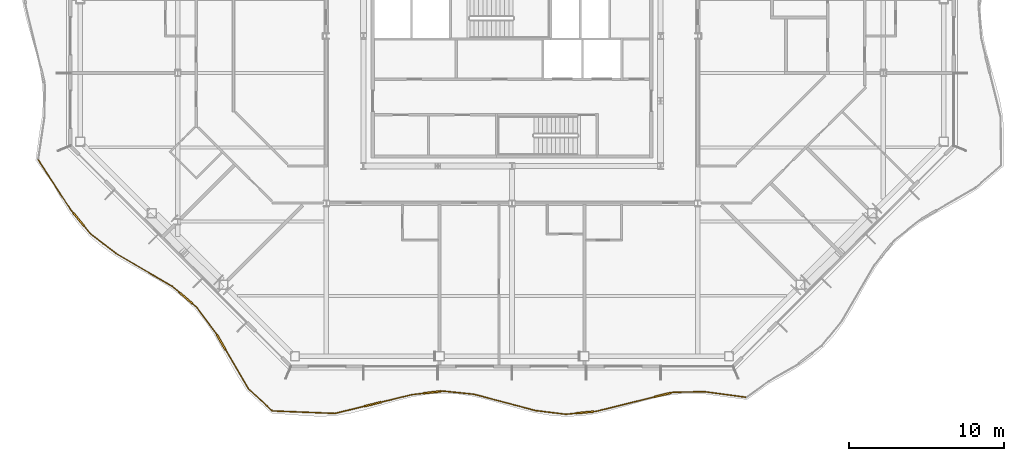
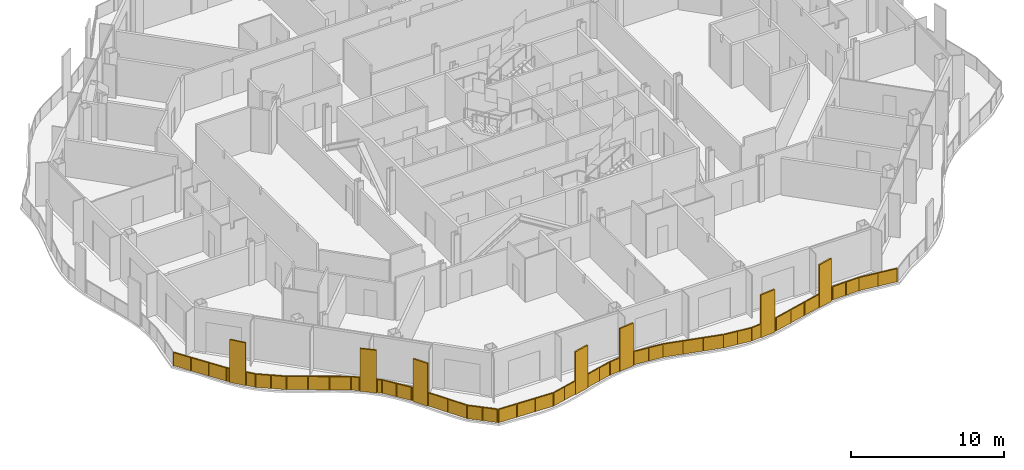
# One storey, part 15 of 20: 2 railings.
"""IFC4 building model written with IfcOpenShell, lengths in metres."""

from ifc_helpers import new_model, si_unit, direction, frame, origin, origin_2d, place, context, subcontext, project, spatial, polyline, rectangle, outline, extrude, material, type_object, element, save


model = new_model("IFC4")

# Units and contexts
model_context = context("Model", 3, precision=1e-05, world=origin(), true_north=direction((0.0, 1.0)))
body_context = subcontext(model_context, "Body", "Model", "MODEL_VIEW")
ifc_project = project(units=[si_unit("LENGTHUNIT", "METRE"), si_unit("AREAUNIT", "SQUARE_METRE"), si_unit("VOLUMEUNIT", "CUBIC_METRE"), si_unit("PLANEANGLEUNIT", "RADIAN"), si_unit("MASSUNIT", "GRAM", prefix="KILO")], contexts=[model_context])

# Site, building, storey
site_placement = place(None, origin())
site = spatial("IfcSite", under=ifc_project, at=site_placement, CompositionType="ELEMENT")
building_placement = place(site_placement, origin())
building = spatial("IfcBuilding", under=site, at=building_placement, Name="Cairn Pilgrim Tower", CompositionType="ELEMENT")
storey_placement = place(building_placement, frame((0.0, 0.0, 165.0)))
storey = spatial("IfcBuildingStorey", under=building, at=storey_placement, Name="L41", CompositionType="ELEMENT", Elevation=165.0)

# Railings
ifc_material = material(Name="Bronze anodised aluminium rail, posts and fin screens with laminated glass infill", Category="aluminium")
railing_type = type_object("IfcRailingType", Name="BALCONY GUARD WITH FIN SCREENS", PredefinedType="GUARDRAIL", material=ifc_material)
railing_1_placement = place(storey_placement, frame((-8.290283203125, -21.832763671875, 0.0)))
element("IfcRailing", 1, at=railing_1_placement, inside=storey, type_object=railing_type, Name="Balcony guard BGF-1 with fin screens", PredefinedType="GUARDRAIL", context=body_context, shape_type="SweptSolid", body=[
    extrude(rectangle(XDim=0.050048828125, YDim=0.050048828125, at=origin_2d()), frame((0.0, 0.0, 1.0751953125), z_axis=(0.999206427871, -0.039831074562, 0.0), x_axis=(0.039831074562, 0.999206427871, 0.0)), (0.0, 0.0, 1.0), 4.0576171875),
    extrude(rectangle(XDim=1.10009765625, YDim=0.110107421875, at=origin_2d()), frame((6.4892578125, 0.43359375, 0.0), z_axis=(0.0, 0.0, 1.0), x_axis=(0.971401950968, 0.237441044589, 0.0)), (0.0, 0.0, 1.0), 3.39990234375),
    extrude(rectangle(XDim=0.050048828125, YDim=0.050048828125, at=origin_2d()), frame((4.054443359375, -0.16162109375, 1.0751953125), z_axis=(0.971401950968, 0.237441044589, 0.0), x_axis=(-0.237441044589, 0.971401950968, 0.0)), (0.0, 0.0, 1.0), 1.95654296875),
    extrude(rectangle(XDim=0.050048828125, YDim=0.050048828125, at=origin_2d()), frame((7.0234375, 0.564208984375, 1.0751953125), z_axis=(0.971401950968, 0.237441044589, 0.0), x_axis=(-0.237441044589, 0.971401950968, 0.0)), (0.0, 0.0, 1.0), 2.04345703125),
    extrude(rectangle(XDim=1.10009765625, YDim=0.110107421875, at=origin_2d()), frame((10.324951171875, 1.20263671875, 0.0), z_axis=(0.0, 0.0, 1.0), x_axis=(0.993295474853, 0.115603199076, 0.0)), (0.0, 0.0, 1.0), 3.39990234375),
    extrude(rectangle(XDim=0.050048828125, YDim=0.050048828125, at=origin_2d()), frame((9.008544921875, 1.04931640625, 1.0751953125), z_axis=(0.993295474853, 0.115603199076, 0.0), x_axis=(-0.115603199076, 0.993295474853, 0.0)), (0.0, 0.0, 1.0), 0.775390625),
    extrude(rectangle(XDim=0.050048828125, YDim=0.050048828125, at=origin_2d()), frame((10.871337890625, 1.26611328125, 1.0751953125), z_axis=(0.993295474853, 0.115603199076, 0.0), x_axis=(-0.115603199076, 0.993295474853, 0.0)), (0.0, 0.0, 1.0), 0.14990234375),
    extrude(rectangle(XDim=0.050048828125, YDim=0.050048828125, at=origin_2d()), frame((11.020263671875, 1.283447265625, 1.0751953125), z_axis=(0.994844327286, -0.101413827788, 0.0), x_axis=(0.101413827788, 0.994844327286, 0.0)), (0.0, 0.0, 1.0), 2.024658203125),
    extrude(rectangle(XDim=0.050048828125, YDim=0.050048828125, at=origin_2d()), frame((13.034423828125, 1.078125, 1.0751953125), z_axis=(0.966537824594, -0.256524138493, 0.0), x_axis=(0.256524138493, 0.966537824594, 0.0)), (0.0, 0.0, 1.0), 4.111572265625),
    extrude(rectangle(XDim=0.050048828125, YDim=0.050048828125, at=origin_2d()), frame((17.00830078125, 0.0234375, 1.0751953125), z_axis=(0.992644427735, -0.121066263206, 0.0), x_axis=(0.121066263206, 0.992644427735, 0.0)), (0.0, 0.0, 1.0), 1.97412109375),
    extrude(rectangle(XDim=1.10009765625, YDim=0.110107421875, at=origin_2d()), frame((20.230224609375, -0.09423828125, 0.0), z_axis=(0.0, 0.0, 1.0), x_axis=(0.995415391014, 0.09564621965, 0.0)), (0.0, 0.0, 1.0), 3.39990234375),
    extrude(rectangle(XDim=0.050048828125, YDim=0.050048828125, at=origin_2d()), frame((18.968017578125, -0.215576171875, 1.0751953125), z_axis=(0.995415391014, 0.09564621965, 0.0), x_axis=(-0.09564621965, 0.995415391014, 0.0)), (0.0, 0.0, 1.0), 0.718017578125),
    extrude(rectangle(XDim=0.050048828125, YDim=0.050048828125, at=origin_2d()), frame((20.77783203125, -0.041748046875, 1.0751953125), z_axis=(0.995415391014, 0.09564621965, 0.0), x_axis=(-0.09564621965, 0.995415391014, 0.0)), (0.0, 0.0, 1.0), 0.14990234375),
    extrude(rectangle(XDim=1.10009765625, YDim=0.110107421875, at=origin_2d()), frame((25.218505859375, 1.035888671875, 0.0), z_axis=(0.0, 0.0, 1.0), x_axis=(0.97065069873, 0.240493702735, 0.0)), (0.0, 0.0, 1.0), 3.39990234375),
    extrude(rectangle(XDim=0.050048828125, YDim=0.050048828125, at=origin_2d()), frame((20.927001953125, -0.02734375, 1.0751953125), z_axis=(0.97065069873, 0.240493702735, 0.0), x_axis=(-0.240493702735, 0.97065069873, 0.0)), (0.0, 0.0, 1.0), 3.871337890625),
    extrude(rectangle(XDim=0.050048828125, YDim=0.050048828125, at=origin_2d()), frame((25.75244140625, 1.168212890625, 1.0751953125), z_axis=(0.97065069873, 0.240493702735, 0.0), x_axis=(-0.240493702735, 0.97065069873, 0.0)), (0.0, 0.0, 1.0), 0.150146484375),
    extrude(rectangle(XDim=0.050048828125, YDim=0.050048828125, at=origin_2d()), frame((25.898193359375, 1.204345703125, 1.0751953125), z_axis=(0.999797678894, 0.02011470303, 0.0), x_axis=(-0.02011470303, 0.999797678894, 0.0)), (0.0, 0.0, 1.0), 2.014892578125),
    extrude(rectangle(XDim=0.050048828125, YDim=0.050048828125, at=origin_2d()), frame((27.91259765625, 1.244873046875, 1.0751953125), z_axis=(0.991180338194, -0.132519950109, 0.0), x_axis=(0.132519950109, 0.991180338194, 0.0)), (0.0, 0.0, 1.0), 2.693359375),
    extrude(rectangle(XDim=0.050048828125, YDim=0.050048828125, at=origin_2d()), origin(), (0.0, 0.0, 1.0), 1.050048828125),
    extrude(rectangle(XDim=0.050048828125, YDim=0.050048828125, at=origin_2d()), frame((1.3515625, -0.053955078125, 0.0)), (0.0, 0.0, 1.0), 1.050048828125),
    extrude(rectangle(XDim=0.050048828125, YDim=0.050048828125, at=origin_2d()), frame((2.702880859375, -0.107666015625, 0.0)), (0.0, 0.0, 1.0), 1.050048828125),
    extrude(rectangle(XDim=0.050048828125, YDim=0.050048828125, at=origin_2d()), frame((4.054443359375, -0.16162109375, 0.0)), (0.0, 0.0, 1.0), 1.050048828125),
    extrude(rectangle(XDim=0.050048828125, YDim=0.050048828125, at=origin_2d()), frame((4.992431640625, 0.067626953125, 0.0)), (0.0, 0.0, 1.0), 1.050048828125),
    extrude(rectangle(XDim=0.050048828125, YDim=0.050048828125, at=origin_2d()), frame((5.9306640625, 0.296875, 0.0)), (0.0, 0.0, 1.0), 1.050048828125),
    extrude(rectangle(XDim=0.050048828125, YDim=0.050048828125, at=origin_2d()), frame((7.0478515625, 0.570068359375, 0.0)), (0.0, 0.0, 1.0), 1.050048828125),
    extrude(rectangle(XDim=0.050048828125, YDim=0.050048828125, at=origin_2d()), frame((8.028076171875, 0.8095703125, 0.0)), (0.0, 0.0, 1.0), 1.050048828125),
    extrude(rectangle(XDim=0.050048828125, YDim=0.050048828125, at=origin_2d()), frame((9.008544921875, 1.04931640625, 0.0)), (0.0, 0.0, 1.0), 1.050048828125),
    extrude(rectangle(XDim=0.050048828125, YDim=0.050048828125, at=origin_2d()), frame((9.75390625, 1.135986328125, 0.0)), (0.0, 0.0, 1.0), 1.050048828125),
    extrude(rectangle(XDim=0.050048828125, YDim=0.050048828125, at=origin_2d()), frame((10.896240234375, 1.26904296875, 0.0)), (0.0, 0.0, 1.0), 1.050048828125),
    extrude(rectangle(XDim=0.050048828125, YDim=0.050048828125, at=origin_2d()), frame((11.020263671875, 1.283447265625, 0.0)), (0.0, 0.0, 1.0), 1.050048828125),
    extrude(rectangle(XDim=0.050048828125, YDim=0.050048828125, at=origin_2d()), frame((12.02734375, 1.1806640625, 0.0)), (0.0, 0.0, 1.0), 1.050048828125),
    extrude(rectangle(XDim=0.050048828125, YDim=0.050048828125, at=origin_2d()), frame((13.034423828125, 1.078125, 0.0)), (0.0, 0.0, 1.0), 1.050048828125),
    extrude(rectangle(XDim=0.050048828125, YDim=0.050048828125, at=origin_2d()), frame((14.359130859375, 0.7265625, 0.0)), (0.0, 0.0, 1.0), 1.050048828125),
    extrude(rectangle(XDim=0.050048828125, YDim=0.050048828125, at=origin_2d()), frame((15.68359375, 0.375, 0.0)), (0.0, 0.0, 1.0), 1.050048828125),
    extrude(rectangle(XDim=0.050048828125, YDim=0.050048828125, at=origin_2d()), frame((17.00830078125, 0.0234375, 0.0)), (0.0, 0.0, 1.0), 1.050048828125),
    extrude(rectangle(XDim=0.050048828125, YDim=0.050048828125, at=origin_2d()), frame((17.98828125, -0.09619140625, 0.0)), (0.0, 0.0, 1.0), 1.050048828125),
    extrude(rectangle(XDim=0.050048828125, YDim=0.050048828125, at=origin_2d()), frame((18.968017578125, -0.215576171875, 0.0)), (0.0, 0.0, 1.0), 1.050048828125),
    extrude(rectangle(XDim=0.050048828125, YDim=0.050048828125, at=origin_2d()), frame((19.657958984375, -0.149169921875, 0.0)), (0.0, 0.0, 1.0), 1.050048828125),
    extrude(rectangle(XDim=0.050048828125, YDim=0.050048828125, at=origin_2d()), frame((20.802734375, -0.039306640625, 0.0)), (0.0, 0.0, 1.0), 1.050048828125),
    extrude(rectangle(XDim=0.050048828125, YDim=0.050048828125, at=origin_2d()), frame((20.927001953125, -0.02734375, 0.0)), (0.0, 0.0, 1.0), 1.050048828125),
    extrude(rectangle(XDim=0.050048828125, YDim=0.050048828125, at=origin_2d()), frame((22.17138671875, 0.281005859375, 0.0)), (0.0, 0.0, 1.0), 1.050048828125),
    extrude(rectangle(XDim=0.050048828125, YDim=0.050048828125, at=origin_2d()), frame((23.416015625, 0.58935546875, 0.0)), (0.0, 0.0, 1.0), 1.050048828125),
    extrude(rectangle(XDim=0.050048828125, YDim=0.050048828125, at=origin_2d()), frame((24.660400390625, 0.897705078125, 0.0)), (0.0, 0.0, 1.0), 1.050048828125),
    extrude(rectangle(XDim=0.050048828125, YDim=0.050048828125, at=origin_2d()), frame((25.77685546875, 1.17431640625, 0.0)), (0.0, 0.0, 1.0), 1.050048828125),
    extrude(rectangle(XDim=0.050048828125, YDim=0.050048828125, at=origin_2d()), frame((25.898193359375, 1.204345703125, 0.0)), (0.0, 0.0, 1.0), 1.050048828125),
    extrude(rectangle(XDim=0.050048828125, YDim=0.050048828125, at=origin_2d()), frame((26.9052734375, 1.224609375, 0.0)), (0.0, 0.0, 1.0), 1.050048828125),
    extrude(rectangle(XDim=0.050048828125, YDim=0.050048828125, at=origin_2d()), frame((27.91259765625, 1.244873046875, 0.0)), (0.0, 0.0, 1.0), 1.050048828125),
    extrude(rectangle(XDim=0.050048828125, YDim=0.050048828125, at=origin_2d()), frame((29.24755859375, 1.06640625, 0.0)), (0.0, 0.0, 1.0), 1.050048828125),
    extrude(rectangle(XDim=0.050048828125, YDim=0.050048828125, at=origin_2d()), frame((30.582275390625, 0.887939453125, 0.0)), (0.0, 0.0, 1.0), 1.050048828125),
    extrude(outline(polyline([(0.02490234375, 0.0), (1.32763671875, 0.0), (1.32763671875, 1.050048828125), (0.02490234375, 1.050048828125), (0.02490234375, 0.0)])), frame((0.000244140625, 0.005859375, 0.0), z_axis=(-0.039831074562, -0.999206427871, 0.0), x_axis=(0.999206427871, -0.039831074562, 0.0)), (0.0, 0.0, 1.0), 0.011962890625),
    extrude(outline(polyline([(0.02490234375, 0.0), (1.32763671875, 0.0), (1.32763671875, 1.050048828125), (0.02490234375, 1.050048828125), (0.02490234375, 0.0)])), frame((1.351806640625, -0.0478515625, 0.0), z_axis=(-0.039831074562, -0.999206427871, 0.0), x_axis=(0.999206427871, -0.039831074562, 0.0)), (0.0, 0.0, 1.0), 0.011962890625),
    extrude(outline(polyline([(0.02490234375, 0.0), (1.32763671875, 0.0), (1.32763671875, 1.050048828125), (0.02490234375, 1.050048828125), (0.02490234375, 0.0)])), frame((2.703125, -0.101806640625, 0.0), z_axis=(-0.039831074562, -0.999206427871, 0.0), x_axis=(0.999206427871, -0.039831074562, 0.0)), (0.0, 0.0, 1.0), 0.011962890625),
    extrude(outline(polyline([(0.02490234375, 0.0), (0.940673828125, 0.0), (0.940673828125, 1.050048828125), (0.02490234375, 1.050048828125), (0.02490234375, 0.0)])), frame((4.052978515625, -0.15576171875, 0.0), z_axis=(0.237441044589, -0.971401950968, 0.0), x_axis=(0.971401950968, 0.237441044589, 0.0)), (0.0, 0.0, 1.0), 0.011962890625),
    extrude(outline(polyline([(0.02490234375, 0.0), (0.940673828125, 0.0), (0.940673828125, 1.050048828125), (0.02490234375, 1.050048828125), (0.02490234375, 0.0)])), frame((4.9912109375, 0.073486328125, 0.0), z_axis=(0.237441044589, -0.971401950968, 0.0), x_axis=(0.971401950968, 0.237441044589, 0.0)), (0.0, 0.0, 1.0), 0.011962890625),
    extrude(outline(polyline([(0.02490234375, 0.0), (0.984130859375, 0.0), (0.984130859375, 1.050048828125), (0.02490234375, 1.050048828125), (0.02490234375, 0.0)])), frame((7.04638671875, 0.575927734375, 0.0), z_axis=(0.237441044589, -0.971401950968, 0.0), x_axis=(0.971401950968, 0.237441044589, 0.0)), (0.0, 0.0, 1.0), 0.011962890625),
    extrude(outline(polyline([(0.02490234375, 0.0), (0.984130859375, 0.0), (0.984130859375, 1.050048828125), (0.02490234375, 1.050048828125), (0.02490234375, 0.0)])), frame((8.02685546875, 0.8154296875, 0.0), z_axis=(0.237441044589, -0.971401950968, 0.0), x_axis=(0.971401950968, 0.237441044589, 0.0)), (0.0, 0.0, 1.0), 0.011962890625),
    extrude(outline(polyline([(0.02490234375, 0.0), (0.725341796875, 0.0), (0.725341796875, 1.050048828125), (0.02490234375, 1.050048828125), (0.02490234375, 0.0)])), frame((9.0078125, 1.05517578125, 0.0), z_axis=(0.115603199076, -0.993295474853, 0.0), x_axis=(0.993295474853, 0.115603199076, 0.0)), (0.0, 0.0, 1.0), 0.011962890625),
    extrude(outline(polyline([(0.02490234375, 0.0), (0.099853515625, 0.0), (0.099853515625, 1.050048828125), (0.02490234375, 1.050048828125), (0.02490234375, 0.0)])), frame((10.8955078125, 1.27490234375, 0.0), z_axis=(0.115603199076, -0.993295474853, 0.0), x_axis=(0.993295474853, 0.115603199076, 0.0)), (0.0, 0.0, 1.0), 0.011962890625),
    extrude(outline(polyline([(0.02490234375, 0.0), (0.9873046875, 0.0), (0.9873046875, 1.050048828125), (0.02490234375, 1.050048828125), (0.02490234375, 0.0)])), frame((11.020751953125, 1.289306640625, 0.0), z_axis=(-0.101413827788, -0.994844327286, 0.0), x_axis=(0.994844327286, -0.101413827788, 0.0)), (0.0, 0.0, 1.0), 0.011962890625),
    extrude(outline(polyline([(0.02490234375, 0.0), (0.9873046875, 0.0), (0.9873046875, 1.050048828125), (0.02490234375, 1.050048828125), (0.02490234375, 0.0)])), frame((12.02783203125, 1.186767578125, 0.0), z_axis=(-0.101413827788, -0.994844327286, 0.0), x_axis=(0.994844327286, -0.101413827788, 0.0)), (0.0, 0.0, 1.0), 0.011962890625),
    extrude(outline(polyline([(0.02490234375, 0.0), (1.345458984375, 0.0), (1.345458984375, 1.050048828125), (0.02490234375, 1.050048828125), (0.02490234375, 0.0)])), frame((13.035888671875, 1.083984375, 0.0), z_axis=(-0.256524138493, -0.966537824594, 0.0), x_axis=(0.966537824594, -0.256524138493, 0.0)), (0.0, 0.0, 1.0), 0.011962890625),
    extrude(outline(polyline([(0.02490234375, 0.0), (1.345458984375, 0.0), (1.345458984375, 1.050048828125), (0.02490234375, 1.050048828125), (0.02490234375, 0.0)])), frame((14.360595703125, 0.732421875, 0.0), z_axis=(-0.256524138493, -0.966537824594, 0.0), x_axis=(0.966537824594, -0.256524138493, 0.0)), (0.0, 0.0, 1.0), 0.011962890625),
    extrude(outline(polyline([(0.02490234375, 0.0), (1.345458984375, 0.0), (1.345458984375, 1.050048828125), (0.02490234375, 1.050048828125), (0.02490234375, 0.0)])), frame((15.685302734375, 0.380859375, 0.0), z_axis=(-0.256524138493, -0.966537824594, 0.0), x_axis=(0.966537824594, -0.256524138493, 0.0)), (0.0, 0.0, 1.0), 0.011962890625),
    extrude(outline(polyline([(0.02490234375, 0.0), (0.962158203125, 0.0), (0.962158203125, 1.050048828125), (0.02490234375, 1.050048828125), (0.02490234375, 0.0)])), frame((17.009033203125, 0.029296875, 0.0), z_axis=(-0.121066263206, -0.992644427735, 0.0), x_axis=(0.992644427735, -0.121066263206, 0.0)), (0.0, 0.0, 1.0), 0.011962890625),
    extrude(outline(polyline([(0.02490234375, 0.0), (0.962158203125, 0.0), (0.962158203125, 1.050048828125), (0.02490234375, 1.050048828125), (0.02490234375, 0.0)])), frame((17.98876953125, -0.090087890625, 0.0), z_axis=(-0.121066263206, -0.992644427735, 0.0), x_axis=(0.992644427735, -0.121066263206, 0.0)), (0.0, 0.0, 1.0), 0.011962890625),
    extrude(outline(polyline([(0.02490234375, 0.0), (0.66796875, 0.0), (0.66796875, 1.050048828125), (0.02490234375, 1.050048828125), (0.02490234375, 0.0)])), frame((18.967529296875, -0.209716796875, 0.0), z_axis=(0.09564621965, -0.995415391014, 0.0), x_axis=(0.995415391014, 0.09564621965, 0.0)), (0.0, 0.0, 1.0), 0.011962890625),
    extrude(outline(polyline([(0.02490234375, 0.0), (0.099853515625, 0.0), (0.099853515625, 1.050048828125), (0.02490234375, 1.050048828125), (0.02490234375, 0.0)])), frame((20.802001953125, -0.033447265625, 0.0), z_axis=(0.09564621965, -0.995415391014, 0.0), x_axis=(0.995415391014, 0.09564621965, 0.0)), (0.0, 0.0, 1.0), 0.011962890625),
    extrude(outline(polyline([(0.02490234375, 0.0), (1.257080078125, 0.0), (1.257080078125, 1.050048828125), (0.02490234375, 1.050048828125), (0.02490234375, 0.0)])), frame((20.925537109375, -0.021484375, 0.0), z_axis=(0.240493702735, -0.97065069873, 0.0), x_axis=(0.97065069873, 0.240493702735, 0.0)), (0.0, 0.0, 1.0), 0.011962890625),
    extrude(outline(polyline([(0.02490234375, 0.0), (1.257080078125, 0.0), (1.257080078125, 1.050048828125), (0.02490234375, 1.050048828125), (0.02490234375, 0.0)])), frame((22.170166015625, 0.286865234375, 0.0), z_axis=(0.240493702735, -0.97065069873, 0.0), x_axis=(0.97065069873, 0.240493702735, 0.0)), (0.0, 0.0, 1.0), 0.011962890625),
    extrude(outline(polyline([(0.02490234375, 0.0), (1.257080078125, 0.0), (1.257080078125, 1.050048828125), (0.02490234375, 1.050048828125), (0.02490234375, 0.0)])), frame((23.41455078125, 0.59521484375, 0.0), z_axis=(0.240493702735, -0.97065069873, 0.0), x_axis=(0.97065069873, 0.240493702735, 0.0)), (0.0, 0.0, 1.0), 0.011962890625),
    extrude(outline(polyline([(0.02490234375, 0.0), (0.10009765625, 0.0), (0.10009765625, 1.050048828125), (0.02490234375, 1.050048828125), (0.02490234375, 0.0)])), frame((25.775390625, 1.18017578125, 0.0), z_axis=(0.240493702735, -0.97065069873, 0.0), x_axis=(0.97065069873, 0.240493702735, 0.0)), (0.0, 0.0, 1.0), 0.011962890625),
    extrude(outline(polyline([(0.02490234375, 0.0), (0.982421875, 0.0), (0.982421875, 1.050048828125), (0.02490234375, 1.050048828125), (0.02490234375, 0.0)])), frame((25.898193359375, 1.210205078125, 0.0), z_axis=(0.02011470303, -0.999797678894, 0.0), x_axis=(0.999797678894, 0.02011470303, 0.0)), (0.0, 0.0, 1.0), 0.011962890625),
    extrude(outline(polyline([(0.02490234375, 0.0), (0.982421875, 0.0), (0.982421875, 1.050048828125), (0.02490234375, 1.050048828125), (0.02490234375, 0.0)])), frame((26.9052734375, 1.23046875, 0.0), z_axis=(0.02011470303, -0.999797678894, 0.0), x_axis=(0.999797678894, 0.02011470303, 0.0)), (0.0, 0.0, 1.0), 0.011962890625),
    extrude(outline(polyline([(0.02490234375, 0.0), (1.32177734375, 0.0), (1.32177734375, 1.050048828125), (0.02490234375, 1.050048828125), (0.02490234375, 0.0)])), frame((27.913330078125, 1.250732421875, 0.0), z_axis=(-0.132519950109, -0.991180338194, 0.0), x_axis=(0.991180338194, -0.132519950109, 0.0)), (0.0, 0.0, 1.0), 0.011962890625),
    extrude(outline(polyline([(0.02490234375, 0.0), (1.32177734375, 0.0), (1.32177734375, 1.050048828125), (0.02490234375, 1.050048828125), (0.02490234375, 0.0)])), frame((29.248291015625, 1.072265625, 0.0), z_axis=(-0.132519950109, -0.991180338194, 0.0), x_axis=(0.991180338194, -0.132519950109, 0.0)), (0.0, 0.0, 1.0), 0.011962890625),
])
railing_2_placement = place(storey_placement, frame((-23.43212890625, -5.589599609375, 0.0)))
element("IfcRailing", 2, at=railing_2_placement, inside=storey, type_object=railing_type, Name="Balcony guard BGF-8 with fin screens", PredefinedType="GUARDRAIL", context=body_context, shape_type="SweptSolid", body=[
    extrude(rectangle(XDim=0.050048828125, YDim=0.050048828125, at=origin_2d()), frame((0.0, 0.0, 1.0751953125), z_axis=(0.545199621841, -0.83830625212, 0.0), x_axis=(0.83830625212, 0.545199621841, 0.0)), (0.0, 0.0, 1.0), 3.89892578125),
    extrude(rectangle(XDim=1.10009765625, YDim=0.110107421875, at=origin_2d()), frame((2.62841796875, -3.873046875, 0.0), z_axis=(0.0, 0.0, 1.0), x_axis=(0.639339827506, -0.768924303794, 0.0)), (0.0, 0.0, 1.0), 3.39990234375),
    extrude(rectangle(XDim=0.050048828125, YDim=0.050048828125, at=origin_2d()), frame((2.125732421875, -3.2685546875, 1.0751953125), z_axis=(0.639339827506, -0.768924303794, 0.0), x_axis=(0.768924303794, 0.639339827506, 0.0)), (0.0, 0.0, 1.0), 0.236083984375),
    extrude(rectangle(XDim=0.050048828125, YDim=0.050048828125, at=origin_2d()), frame((2.97998046875, -4.2958984375, 1.0751953125), z_axis=(0.639339827506, -0.768924303794, 0.0), x_axis=(0.768924303794, 0.639339827506, 0.0)), (0.0, 0.0, 1.0), 0.68359375),
    extrude(rectangle(XDim=0.050048828125, YDim=0.050048828125, at=origin_2d()), frame((3.4169921875, -4.821533203125, 1.0751953125), z_axis=(0.792628465799, -0.609704941103, 0.0), x_axis=(0.609704941103, 0.792628465799, 0.0)), (0.0, 0.0, 1.0), 2.02734375),
    extrude(rectangle(XDim=0.050048828125, YDim=0.050048828125, at=origin_2d()), frame((5.02392578125, -6.0576171875, 1.0751953125), z_axis=(0.863604497181, -0.504169884512, 0.0), x_axis=(0.504169884512, 0.863604497181, 0.0)), (0.0, 0.0, 1.0), 4.21533203125),
    extrude(rectangle(XDim=1.10009765625, YDim=0.110107421875, at=origin_2d()), frame((9.5400390625, -8.93408203125, 0.0), z_axis=(0.0, 0.0, 1.0), x_axis=(0.758940550376, -0.651159919677, 0.0)), (0.0, 0.0, 1.0), 3.39990234375),
    extrude(rectangle(XDim=0.050048828125, YDim=0.050048828125, at=origin_2d()), frame((8.664306640625, -8.182861328125, 1.0751953125), z_axis=(0.758940550376, -0.651159919677, 0.0), x_axis=(0.651159919677, 0.758940550376, 0.0)), (0.0, 0.0, 1.0), 0.603759765625),
    extrude(rectangle(XDim=0.050048828125, YDim=0.050048828125, at=origin_2d()), frame((9.95751953125, -9.292236328125, 1.0751953125), z_axis=(0.758940550376, -0.651159919677, 0.0), x_axis=(0.651159919677, 0.758940550376, 0.0)), (0.0, 0.0, 1.0), 0.368896484375),
    extrude(rectangle(XDim=0.050048828125, YDim=0.050048828125, at=origin_2d()), frame((10.2373046875, -9.532470703125, 1.0751953125), z_axis=(0.59832937357, -0.801250248501, 0.0), x_axis=(0.801250248501, 0.59832937357, 0.0)), (0.0, 0.0, 1.0), 2.08251953125),
    extrude(rectangle(XDim=1.10009765625, YDim=0.110107421875, at=origin_2d()), frame((11.83740234375, -11.804931640625, 0.0), z_axis=(0.0, 0.0, 1.0), x_axis=(0.505809103116, -0.862645437712, 0.0)), (0.0, 0.0, 1.0), 3.39990234375),
    extrude(rectangle(XDim=0.050048828125, YDim=0.050048828125, at=origin_2d()), frame((11.4833984375, -11.201171875, 1.0751953125), z_axis=(0.505809103116, -0.862645437712, 0.0), x_axis=(0.862645437712, 0.505809103116, 0.0)), (0.0, 0.0, 1.0), 0.14990234375),
    extrude(rectangle(XDim=0.050048828125, YDim=0.050048828125, at=origin_2d()), frame((12.11572265625, -12.279296875, 1.0751953125), z_axis=(0.505809103116, -0.862645437712, 0.0), x_axis=(0.862645437712, 0.505809103116, 0.0)), (0.0, 0.0, 1.0), 2.945556640625),
    extrude(rectangle(XDim=0.050048828125, YDim=0.050048828125, at=origin_2d()), frame((13.60546875, -14.8203125, 1.0751953125), z_axis=(0.733656498761, -0.679520523476, 0.0), x_axis=(0.679520523476, 0.733656498761, 0.0)), (0.0, 0.0, 1.0), 2.033935546875),
    extrude(rectangle(XDim=0.050048828125, YDim=0.050048828125, at=origin_2d()), origin(), (0.0, 0.0, 1.0), 1.050048828125),
    extrude(rectangle(XDim=0.050048828125, YDim=0.050048828125, at=origin_2d()), frame((0.70849609375, -1.089599609375, 0.0)), (0.0, 0.0, 1.0), 1.050048828125),
    extrude(rectangle(XDim=0.050048828125, YDim=0.050048828125, at=origin_2d()), frame((1.417236328125, -2.178955078125, 0.0)), (0.0, 0.0, 1.0), 1.050048828125),
    extrude(rectangle(XDim=0.050048828125, YDim=0.050048828125, at=origin_2d()), frame((2.125732421875, -3.2685546875, 0.0)), (0.0, 0.0, 1.0), 1.050048828125),
    extrude(rectangle(XDim=0.050048828125, YDim=0.050048828125, at=origin_2d()), frame((2.2607421875, -3.430908203125, 0.0)), (0.0, 0.0, 1.0), 1.050048828125),
    extrude(rectangle(XDim=0.050048828125, YDim=0.050048828125, at=origin_2d()), frame((2.99609375, -4.315185546875, 0.0)), (0.0, 0.0, 1.0), 1.050048828125),
    extrude(rectangle(XDim=0.050048828125, YDim=0.050048828125, at=origin_2d()), frame((3.4169921875, -4.821533203125, 0.0)), (0.0, 0.0, 1.0), 1.050048828125),
    extrude(rectangle(XDim=0.050048828125, YDim=0.050048828125, at=origin_2d()), frame((4.220458984375, -5.439453125, 0.0)), (0.0, 0.0, 1.0), 1.050048828125),
    extrude(rectangle(XDim=0.050048828125, YDim=0.050048828125, at=origin_2d()), frame((5.02392578125, -6.0576171875, 0.0)), (0.0, 0.0, 1.0), 1.050048828125),
    extrude(rectangle(XDim=0.050048828125, YDim=0.050048828125, at=origin_2d()), frame((6.2373046875, -6.76611328125, 0.0)), (0.0, 0.0, 1.0), 1.050048828125),
    extrude(rectangle(XDim=0.050048828125, YDim=0.050048828125, at=origin_2d()), frame((7.450927734375, -7.474365234375, 0.0)), (0.0, 0.0, 1.0), 1.050048828125),
    extrude(rectangle(XDim=0.050048828125, YDim=0.050048828125, at=origin_2d()), frame((8.664306640625, -8.182861328125, 0.0)), (0.0, 0.0, 1.0), 1.050048828125),
    extrude(rectangle(XDim=0.050048828125, YDim=0.050048828125, at=origin_2d()), frame((9.103515625, -8.559814453125, 0.0)), (0.0, 0.0, 1.0), 1.050048828125),
    extrude(rectangle(XDim=0.050048828125, YDim=0.050048828125, at=origin_2d()), frame((9.976318359375, -9.30859375, 0.0)), (0.0, 0.0, 1.0), 1.050048828125),
    extrude(rectangle(XDim=0.050048828125, YDim=0.050048828125, at=origin_2d()), frame((10.2373046875, -9.532470703125, 0.0)), (0.0, 0.0, 1.0), 1.050048828125),
    extrude(rectangle(XDim=0.050048828125, YDim=0.050048828125, at=origin_2d()), frame((10.8603515625, -10.36669921875, 0.0)), (0.0, 0.0, 1.0), 1.050048828125),
    extrude(rectangle(XDim=0.050048828125, YDim=0.050048828125, at=origin_2d()), frame((11.4833984375, -11.201171875, 0.0)), (0.0, 0.0, 1.0), 1.050048828125),
    extrude(rectangle(XDim=0.050048828125, YDim=0.050048828125, at=origin_2d()), frame((11.546630859375, -11.308837890625, 0.0)), (0.0, 0.0, 1.0), 1.050048828125),
    extrude(rectangle(XDim=0.050048828125, YDim=0.050048828125, at=origin_2d()), frame((12.128173828125, -12.301025390625, 0.0)), (0.0, 0.0, 1.0), 1.050048828125),
    extrude(rectangle(XDim=0.050048828125, YDim=0.050048828125, at=origin_2d()), frame((12.866943359375, -13.560546875, 0.0)), (0.0, 0.0, 1.0), 1.050048828125),
    extrude(rectangle(XDim=0.050048828125, YDim=0.050048828125, at=origin_2d()), frame((13.60546875, -14.8203125, 0.0)), (0.0, 0.0, 1.0), 1.050048828125),
    extrude(rectangle(XDim=0.050048828125, YDim=0.050048828125, at=origin_2d()), frame((14.3515625, -15.51123046875, 0.0)), (0.0, 0.0, 1.0), 1.050048828125),
    extrude(rectangle(XDim=0.050048828125, YDim=0.050048828125, at=origin_2d()), frame((15.09765625, -16.202392578125, 0.0)), (0.0, 0.0, 1.0), 1.050048828125),
    extrude(outline(polyline([(0.02490234375, 0.0), (1.274658203125, 0.0), (1.274658203125, 1.050048828125), (0.02490234375, 1.050048828125), (0.02490234375, 0.0)])), frame((0.005126953125, 0.003173828125, 0.0), z_axis=(-0.83830625212, -0.545199621841, 0.0), x_axis=(0.545199621841, -0.83830625212, 0.0)), (0.0, 0.0, 1.0), 0.011962890625),
    extrude(outline(polyline([(0.02490234375, 0.0), (1.274658203125, 0.0), (1.274658203125, 1.050048828125), (0.02490234375, 1.050048828125), (0.02490234375, 0.0)])), frame((0.713623046875, -1.086181640625, 0.0), z_axis=(-0.83830625212, -0.545199621841, 0.0), x_axis=(0.545199621841, -0.83830625212, 0.0)), (0.0, 0.0, 1.0), 0.011962890625),
    extrude(outline(polyline([(0.02490234375, 0.0), (1.274658203125, 0.0), (1.274658203125, 1.050048828125), (0.02490234375, 1.050048828125), (0.02490234375, 0.0)])), frame((1.422119140625, -2.17578125, 0.0), z_axis=(-0.83830625212, -0.545199621841, 0.0), x_axis=(0.545199621841, -0.83830625212, 0.0)), (0.0, 0.0, 1.0), 0.011962890625),
    extrude(outline(polyline([(0.02490234375, 0.0), (0.18603515625, 0.0), (0.18603515625, 1.050048828125), (0.02490234375, 1.050048828125), (0.02490234375, 0.0)])), frame((2.13037109375, -3.2646484375, 0.0), z_axis=(-0.768924303794, -0.639339827506, 0.0), x_axis=(0.639339827506, -0.768924303794, 0.0)), (0.0, 0.0, 1.0), 0.011962890625),
    extrude(outline(polyline([(0.02490234375, 0.0), (0.633544921875, 0.0), (0.633544921875, 1.050048828125), (0.02490234375, 1.050048828125), (0.02490234375, 0.0)])), frame((3.000732421875, -4.3115234375, 0.0), z_axis=(-0.768924303794, -0.639339827506, 0.0), x_axis=(0.639339827506, -0.768924303794, 0.0)), (0.0, 0.0, 1.0), 0.011962890625),
    extrude(outline(polyline([(0.02490234375, 0.0), (0.98876953125, 0.0), (0.98876953125, 1.050048828125), (0.02490234375, 1.050048828125), (0.02490234375, 0.0)])), frame((3.420654296875, -4.81689453125, 0.0), z_axis=(-0.609704941103, -0.792628465799, 0.0), x_axis=(0.792628465799, -0.609704941103, 0.0)), (0.0, 0.0, 1.0), 0.011962890625),
    extrude(outline(polyline([(0.02490234375, 0.0), (0.98876953125, 0.0), (0.98876953125, 1.050048828125), (0.02490234375, 1.050048828125), (0.02490234375, 0.0)])), frame((4.22412109375, -5.434814453125, 0.0), z_axis=(-0.609704941103, -0.792628465799, 0.0), x_axis=(0.792628465799, -0.609704941103, 0.0)), (0.0, 0.0, 1.0), 0.011962890625),
    extrude(outline(polyline([(0.02490234375, 0.0), (1.380126953125, 0.0), (1.380126953125, 1.050048828125), (0.02490234375, 1.050048828125), (0.02490234375, 0.0)])), frame((5.02685546875, -6.052490234375, 0.0), z_axis=(-0.504169884512, -0.863604497181, 0.0), x_axis=(0.863604497181, -0.504169884512, 0.0)), (0.0, 0.0, 1.0), 0.011962890625),
    extrude(outline(polyline([(0.02490234375, 0.0), (1.380126953125, 0.0), (1.380126953125, 1.050048828125), (0.02490234375, 1.050048828125), (0.02490234375, 0.0)])), frame((6.240478515625, -6.760986328125, 0.0), z_axis=(-0.504169884512, -0.863604497181, 0.0), x_axis=(0.863604497181, -0.504169884512, 0.0)), (0.0, 0.0, 1.0), 0.011962890625),
    extrude(outline(polyline([(0.02490234375, 0.0), (1.380126953125, 0.0), (1.380126953125, 1.050048828125), (0.02490234375, 1.050048828125), (0.02490234375, 0.0)])), frame((7.453857421875, -7.46923828125, 0.0), z_axis=(-0.504169884512, -0.863604497181, 0.0), x_axis=(0.863604497181, -0.504169884512, 0.0)), (0.0, 0.0, 1.0), 0.011962890625),
    extrude(outline(polyline([(0.02490234375, 0.0), (0.5537109375, 0.0), (0.5537109375, 1.050048828125), (0.02490234375, 1.050048828125), (0.02490234375, 0.0)])), frame((8.668212890625, -8.17822265625, 0.0), z_axis=(-0.651159919677, -0.758940550376, 0.0), x_axis=(0.758940550376, -0.651159919677, 0.0)), (0.0, 0.0, 1.0), 0.011962890625),
    extrude(outline(polyline([(0.02490234375, 0.0), (0.31884765625, 0.0), (0.31884765625, 1.050048828125), (0.02490234375, 1.050048828125), (0.02490234375, 0.0)])), frame((9.980224609375, -9.30419921875, 0.0), z_axis=(-0.651159919677, -0.758940550376, 0.0), x_axis=(0.758940550376, -0.651159919677, 0.0)), (0.0, 0.0, 1.0), 0.011962890625),
    extrude(outline(polyline([(0.02490234375, 0.0), (1.016357421875, 0.0), (1.016357421875, 1.050048828125), (0.02490234375, 1.050048828125), (0.02490234375, 0.0)])), frame((10.2421875, -9.52880859375, 0.0), z_axis=(-0.801250248501, -0.59832937357, 0.0), x_axis=(0.59832937357, -0.801250248501, 0.0)), (0.0, 0.0, 1.0), 0.011962890625),
    extrude(outline(polyline([(0.02490234375, 0.0), (1.016357421875, 0.0), (1.016357421875, 1.050048828125), (0.02490234375, 1.050048828125), (0.02490234375, 0.0)])), frame((10.865234375, -10.36328125, 0.0), z_axis=(-0.801250248501, -0.59832937357, 0.0), x_axis=(0.59832937357, -0.801250248501, 0.0)), (0.0, 0.0, 1.0), 0.011962890625),
    extrude(outline(polyline([(0.02490234375, 0.0), (0.099853515625, 0.0), (0.099853515625, 1.050048828125), (0.02490234375, 1.050048828125), (0.02490234375, 0.0)])), frame((11.488525390625, -11.1982421875, 0.0), z_axis=(-0.862645437712, -0.505809103116, 0.0), x_axis=(0.505809103116, -0.862645437712, 0.0)), (0.0, 0.0, 1.0), 0.011962890625),
    extrude(outline(polyline([(0.02490234375, 0.0), (1.435302734375, 0.0), (1.435302734375, 1.050048828125), (0.02490234375, 1.050048828125), (0.02490234375, 0.0)])), frame((12.133544921875, -12.2978515625, 0.0), z_axis=(-0.862645437712, -0.505809103116, 0.0), x_axis=(0.505809103116, -0.862645437712, 0.0)), (0.0, 0.0, 1.0), 0.011962890625),
    extrude(outline(polyline([(0.02490234375, 0.0), (1.435302734375, 0.0), (1.435302734375, 1.050048828125), (0.02490234375, 1.050048828125), (0.02490234375, 0.0)])), frame((12.8720703125, -13.5576171875, 0.0), z_axis=(-0.862645437712, -0.505809103116, 0.0), x_axis=(0.505809103116, -0.862645437712, 0.0)), (0.0, 0.0, 1.0), 0.011962890625),
    extrude(outline(polyline([(0.02490234375, 0.0), (0.991943359375, 0.0), (0.991943359375, 1.050048828125), (0.02490234375, 1.050048828125), (0.02490234375, 0.0)])), frame((13.609619140625, -14.81591796875, 0.0), z_axis=(-0.679520523476, -0.733656498761, 0.0), x_axis=(0.733656498761, -0.679520523476, 0.0)), (0.0, 0.0, 1.0), 0.011962890625),
    extrude(outline(polyline([(0.02490234375, 0.0), (0.991943359375, 0.0), (0.991943359375, 1.050048828125), (0.02490234375, 1.050048828125), (0.02490234375, 0.0)])), frame((14.355712890625, -15.507080078125, 0.0), z_axis=(-0.679520523476, -0.733656498761, 0.0), x_axis=(0.733656498761, -0.679520523476, 0.0)), (0.0, 0.0, 1.0), 0.011962890625),
])

save(model, "model.ifc")
